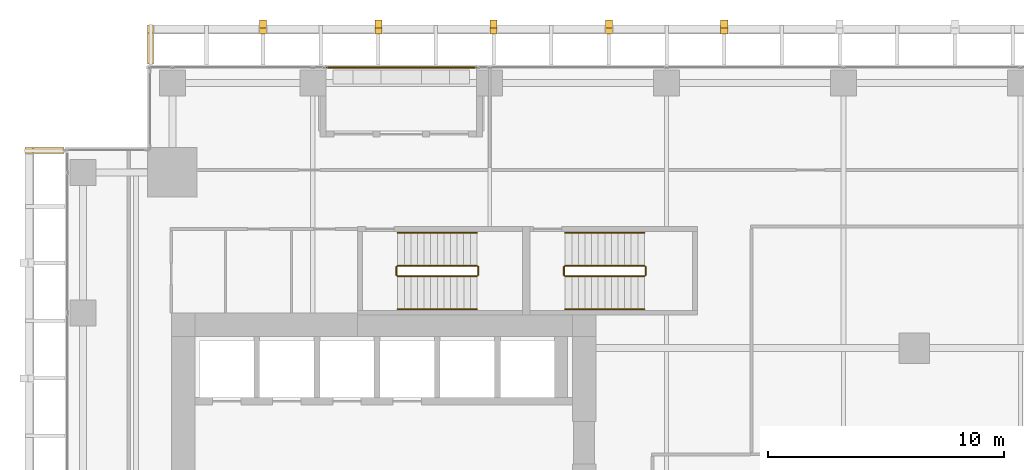
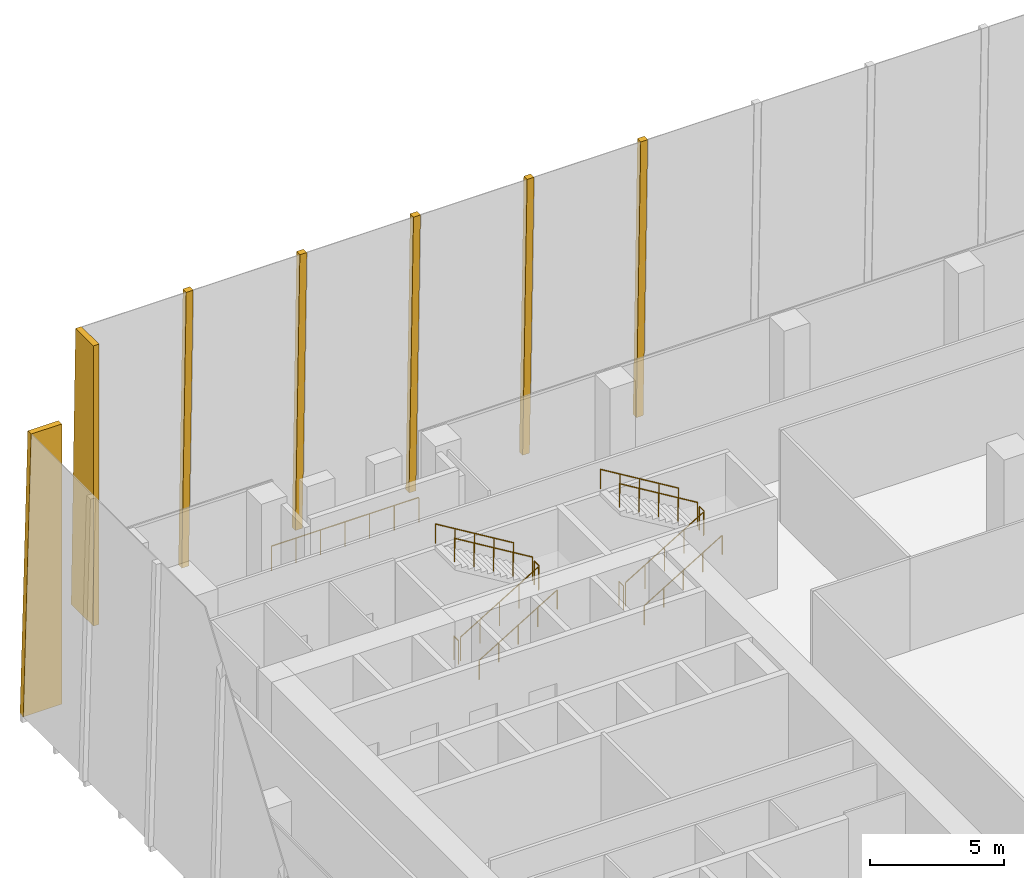
# One storey, part 34 of 36: 13 railings, 7 coverings.
"""IFC4 building model written with IfcOpenShell, lengths in metres."""

from ifc_helpers import new_model, si_unit, direction, frame, origin, origin_2d, place, context, subcontext, project, spatial, polyline, circle, outline, extrude, source, transform, mapped, material, layer, layer_set, type_object, element, save


model = new_model("IFC4")

# Units and contexts
model_context = context("Model", 3, precision=1e-05, world=origin(), true_north=direction((0.0, 1.0)))
body_context = subcontext(model_context, "Body", "Model", "MODEL_VIEW")
ifc_project = project(units=[si_unit("LENGTHUNIT", "METRE"), si_unit("AREAUNIT", "SQUARE_METRE"), si_unit("VOLUMEUNIT", "CUBIC_METRE"), si_unit("PLANEANGLEUNIT", "RADIAN"), si_unit("MASSUNIT", "GRAM", prefix="KILO")], contexts=[model_context])

# Site, building, storey
site_placement = place(None, origin())
site = spatial("IfcSite", under=ifc_project, at=site_placement, CompositionType="ELEMENT")
building_placement = place(site_placement, origin())
building = spatial("IfcBuilding", under=site, at=building_placement, Name="Khomas Fold Tower", CompositionType="ELEMENT")
storey_placement = place(building_placement, frame((0.0, 0.0, 141.10009765625)))
storey = spatial("IfcBuildingStorey", under=building, at=storey_placement, Name="L30", CompositionType="ELEMENT", Elevation=141.10009765625)

# Coverings
ifc_material_1 = material(Name="Natural stone cladding", Category="masonry")
ifc_layer = layer(ifc_material_1, 0.25)
ifc_layer_set = layer_set([ifc_layer], Name="Natural stone cladding")
covering_type = type_object("IfcCoveringType", Name="SK-Karibib marble stone mullion", PredefinedType="CLADDING", material=ifc_layer_set)
for number, where, z_axis, x_axis, name in (
    (1, (9.73876953125, 54.412841796875, 0.00634765625), (0.0, 0.999657592188, 0.026166741891), (1.0, 0.0, 0.0), "OUTER SKIN mullion L30 N2"),
    (2, (14.627685546875, 54.412841796875, 0.00634765625), (0.0, 0.999657592188, 0.026166741891), (1.0, 0.0, 0.0), "OUTER SKIN mullion L30 N4"),
    (3, (19.5166015625, 54.412841796875, 0.00634765625), (0.0, 0.999657592188, 0.026166741891), (1.0, 0.0, 0.0), "OUTER SKIN mullion L30 N6"),
    (4, (24.405517578125, 54.412841796875, 0.00634765625), (0.0, 0.999657592188, 0.026166741891), (1.0, 0.0, 0.0), "OUTER SKIN mullion L30 N8"),
    (5, (29.29443359375, 54.412841796875, 0.00634765625), (0.0, 0.999657592188, 0.026166741891), (1.0, 0.0, 0.0), "OUTER SKIN mullion L30 N10"),
):
    element("IfcCovering", number, at=place(storey_placement, frame(where, z_axis=z_axis, x_axis=x_axis)), inside=storey, type_object=covering_type, Name=name, PredefinedType="CLADDING", context=body_context, shape_type="SweptSolid", body=[
        extrude(outline(polyline([(0.0, 0.0), (0.300048828125, 0.0), (0.300048828125, -12.754367194966619), (0.0, -12.754367194966619), (0.0, 0.0)])), origin(), (0.0, 0.0, -1.0), 0.25),
    ])
covering_1_placement = place(storey_placement, frame((5.0, 52.550048828125, 12.75), z_axis=(-1.0, 0.0, 0.0), x_axis=(0.0, 1.0, 0.0)))
element("IfcCovering", 6, at=covering_1_placement, inside=storey, type_object=covering_type, Name="OUTER SKIN return L30 N1", PredefinedType="CLADDING", context=body_context, shape_type="SweptSolid", body=[
    extrude(outline(polyline([(0.0, 0.0), (1.319091796875, 0.0), (1.653076171875, 12.75), (0.0, 12.75), (0.0, 0.0)])), origin(), (0.0, 0.0, -1.0), 0.25),
])
covering_2_placement = place(storey_placement, frame((1.449951171875, 49.0, 0.0), z_axis=(0.0, 1.0, 0.0), x_axis=(-1.0, 0.0, 0.0)))
element("IfcCovering", 7, at=covering_2_placement, inside=storey, type_object=covering_type, Name="OUTER SKIN return L30 W2", PredefinedType="CLADDING", context=body_context, shape_type="SweptSolid", body=[
    extrude(outline(polyline([(0.0, 0.0), (1.653076171875, 0.0), (1.319091796875, 12.75), (0.0, 12.75), (0.0, 0.0)])), origin(), (0.0, 0.0, -1.0), 0.25),
])

# Railings
ifc_material_2 = material(Name="Powder-coated steel", Category="steel")
railing_type_1 = type_object("IfcRailingType", Name="Balcony guard", PredefinedType="GUARDRAIL", material=ifc_material_2)
shared_shape_1 = source(origin(), body_context, "Body", "SweptSolid", [
    extrude(circle(Radius=0.02490234375, at=origin_2d()), frame((0.0, 0.0, 1.125), z_axis=(1.0, 0.0, 0.0), x_axis=(0.0, 1.0, 0.0)), (0.0, 0.0, 1.0), 6.33984375),
    extrude(circle(Radius=0.02001953125, at=origin_2d()), origin(), (0.0, 0.0, 1.0), 1.099853515625),
    extrude(circle(Radius=0.02001953125, at=origin_2d()), frame((1.056640625, 0.0, 0.0)), (0.0, 0.0, 1.0), 1.099853515625),
    extrude(circle(Radius=0.02001953125, at=origin_2d()), frame((2.11328125, 0.0, 0.0)), (0.0, 0.0, 1.0), 1.099853515625),
    extrude(circle(Radius=0.02001953125, at=origin_2d()), frame((3.169921875, 0.0, 0.0)), (0.0, 0.0, 1.0), 1.099853515625),
    extrude(circle(Radius=0.02001953125, at=origin_2d()), frame((4.2265625, 0.0, 0.0)), (0.0, 0.0, 1.0), 1.099853515625),
    extrude(circle(Radius=0.02001953125, at=origin_2d()), frame((5.283203125, 0.0, 0.0)), (0.0, 0.0, 1.0), 1.099853515625),
    extrude(circle(Radius=0.02001953125, at=origin_2d()), frame((6.33984375, 0.0, 0.0)), (0.0, 0.0, 1.0), 1.099853515625),
])
railing_1_placement = place(storey_placement, frame((12.580078125, 52.39990234375, -0.045166015625)))
element("IfcRailing", 8, at=railing_1_placement, inside=storey, type_object=railing_type_1, Name="Balcony guard BAL-L30-N1", PredefinedType="GUARDRAIL", context=body_context, shape_type="MappedRepresentation", body=[
    mapped(shared_shape_1, transform((0.0, 0.0, 0.0))),
])
ifc_material_3 = material(Name="Steel balustrade", Category="steel")
railing_type_2 = type_object("IfcRailingType", Name="Stair guard", PredefinedType="GUARDRAIL", material=ifc_material_3)
shared_shape_2 = source(origin(), body_context, "Body", "SweptSolid", [
    extrude(circle(Radius=0.02392578125, at=origin_2d()), frame((0.0, 0.0, 1.076171875), z_axis=(0.0, 1.0, 0.0), x_axis=(-1.0, 0.0, 0.0)), (0.0, 0.0, 1.0), 0.349853515625),
    extrude(circle(Radius=0.02099609375, at=origin_2d()), origin(), (0.0, 0.0, 1.0), 1.052001953125),
    extrude(circle(Radius=0.02099609375, at=origin_2d()), frame((0.0, 0.349853515625, 0.0)), (0.0, 0.0, 1.0), 1.052001953125),
])
for number, where, name in (
    (9, (19.010009765625, 43.60009765625, 2.199951171875), "L30 ST1 stair guard 2"),
    (10, (15.550048828125, 43.60009765625, 0.0), "L30 ST1 stair guard 4"),
    (11, (26.110107421875, 43.60009765625, 2.199951171875), "L30 ST3 stair guard 2"),
    (12, (22.64990234375, 43.60009765625, 0.0), "L30 ST3 stair guard 4"),
):
    element("IfcRailing", number, at=place(storey_placement, frame(where)), inside=storey, type_object=railing_type_2, Name=name, PredefinedType="GUARDRAIL", context=body_context, shape_type="MappedRepresentation", body=[
        mapped(shared_shape_2, transform((0.0, 0.0, 0.0))),
    ])
shared_shape_3 = source(origin(), body_context, "Body", "SweptSolid", [
    extrude(circle(Radius=0.02392578125, at=origin_2d()), frame((0.0, 0.0, 1.076171875), z_axis=(0.855820338506, 0.0, 0.51727318527), x_axis=(0.0, 1.0, 0.0)), (0.0, 0.0, 1.0), 3.92578125),
    extrude(circle(Radius=0.02099609375, at=origin_2d()), origin(), (0.0, 0.0, 1.0), 1.052001953125),
    extrude(circle(Radius=0.02099609375, at=origin_2d()), frame((0.83984375, 0.0, 0.5078125)), (0.0, 0.0, 1.0), 1.052001953125),
    extrude(circle(Radius=0.02099609375, at=origin_2d()), frame((1.679931640625, 0.0, 1.015380859375)), (0.0, 0.0, 1.0), 1.052001953125),
    extrude(circle(Radius=0.02099609375, at=origin_2d()), frame((2.52001953125, 0.0, 1.52294921875)), (0.0, 0.0, 1.0), 1.052001953125),
    extrude(circle(Radius=0.02099609375, at=origin_2d()), frame((3.35986328125, 0.0, 2.03076171875)), (0.0, 0.0, 1.0), 1.052001953125),
])
railing_2_placement = place(storey_placement, frame((15.60009765625, 43.550048828125, 0.169189453125)))
element("IfcRailing", 13, at=railing_2_placement, inside=storey, type_object=railing_type_2, Name="L30 ST1 stair guard 1", PredefinedType="GUARDRAIL", context=body_context, shape_type="MappedRepresentation", body=[
    mapped(shared_shape_3, transform((0.0, 0.0, 0.0))),
])
shared_shape_4 = source(origin(), body_context, "Body", "SweptSolid", [
    extrude(circle(Radius=0.02392578125, at=origin_2d()), frame((0.0, 0.0, 1.076171875), z_axis=(-0.855820338506, 0.0, 0.51727318527), x_axis=(0.0, -1.0, 0.0)), (0.0, 0.0, 1.0), 3.92578125),
    extrude(circle(Radius=0.02099609375, at=origin_2d()), origin(), (0.0, 0.0, 1.0), 1.052001953125),
    extrude(circle(Radius=0.02099609375, at=origin_2d()), frame((-0.83984375, 0.0, 0.5078125)), (0.0, 0.0, 1.0), 1.052001953125),
    extrude(circle(Radius=0.02099609375, at=origin_2d()), frame((-1.679931640625, 0.0, 1.015380859375)), (0.0, 0.0, 1.0), 1.052001953125),
    extrude(circle(Radius=0.02099609375, at=origin_2d()), frame((-2.52001953125, 0.0, 1.52294921875)), (0.0, 0.0, 1.0), 1.052001953125),
    extrude(circle(Radius=0.02099609375, at=origin_2d()), frame((-3.35986328125, 0.0, 2.03076171875)), (0.0, 0.0, 1.0), 1.052001953125),
])
railing_3_placement = place(storey_placement, frame((18.9599609375, 44.0, 2.369140625)))
element("IfcRailing", 14, at=railing_3_placement, inside=storey, type_object=railing_type_2, Name="L30 ST1 stair guard 3", PredefinedType="GUARDRAIL", context=body_context, shape_type="MappedRepresentation", body=[
    mapped(shared_shape_4, transform((0.0, 0.0, 0.0))),
])
ifc_material_4 = material(Name="Steel handrail", Category="steel")
railing_type_3 = type_object("IfcRailingType", Name="Stair handrail", PredefinedType="HANDRAIL", material=ifc_material_4)
shared_shape_5 = source(origin(), body_context, "Body", "SweptSolid", [
    extrude(circle(Radius=0.02392578125, at=origin_2d()), frame((0.0, 0.0, 0.8759765625), z_axis=(0.855820338506, 0.0, 0.51727318527), x_axis=(0.0, 1.0, 0.0)), (0.0, 0.0, 1.0), 3.92578125),
    extrude(circle(Radius=0.02099609375, at=origin_2d()), origin(), (0.0, 0.0, 1.0), 0.851806640625),
    extrude(circle(Radius=0.02099609375, at=origin_2d()), frame((0.83984375, 0.0, 0.5078125)), (0.0, 0.0, 1.0), 0.851806640625),
    extrude(circle(Radius=0.02099609375, at=origin_2d()), frame((1.679931640625, 0.0, 1.015380859375)), (0.0, 0.0, 1.0), 0.851806640625),
    extrude(circle(Radius=0.02099609375, at=origin_2d()), frame((2.52001953125, 0.0, 1.52294921875)), (0.0, 0.0, 1.0), 0.851806640625),
    extrude(circle(Radius=0.02099609375, at=origin_2d()), frame((3.35986328125, 0.0, 2.03076171875)), (0.0, 0.0, 1.0), 0.851806640625),
])
railing_4_placement = place(storey_placement, frame((15.60009765625, 42.14990234375, 0.169189453125)))
element("IfcRailing", 15, at=railing_4_placement, inside=storey, type_object=railing_type_3, Name="L30 ST1 stair handrail 1", PredefinedType="HANDRAIL", context=body_context, shape_type="MappedRepresentation", body=[
    mapped(shared_shape_5, transform((0.0, 0.0, 0.0))),
])
shared_shape_6 = source(origin(), body_context, "Body", "SweptSolid", [
    extrude(circle(Radius=0.02392578125, at=origin_2d()), frame((0.0, 0.0, 0.8759765625), z_axis=(-0.855820338506, 0.0, 0.51727318527), x_axis=(0.0, -1.0, 0.0)), (0.0, 0.0, 1.0), 3.92578125),
    extrude(circle(Radius=0.02099609375, at=origin_2d()), origin(), (0.0, 0.0, 1.0), 0.851806640625),
    extrude(circle(Radius=0.02099609375, at=origin_2d()), frame((-0.83984375, 0.0, 0.5078125)), (0.0, 0.0, 1.0), 0.851806640625),
    extrude(circle(Radius=0.02099609375, at=origin_2d()), frame((-1.679931640625, 0.0, 1.015380859375)), (0.0, 0.0, 1.0), 0.851806640625),
    extrude(circle(Radius=0.02099609375, at=origin_2d()), frame((-2.52001953125, 0.0, 1.52294921875)), (0.0, 0.0, 1.0), 0.851806640625),
    extrude(circle(Radius=0.02099609375, at=origin_2d()), frame((-3.35986328125, 0.0, 2.03076171875)), (0.0, 0.0, 1.0), 0.851806640625),
])
railing_5_placement = place(storey_placement, frame((18.9599609375, 45.39990234375, 2.369140625)))
element("IfcRailing", 16, at=railing_5_placement, inside=storey, type_object=railing_type_3, Name="L30 ST1 stair handrail 2", PredefinedType="HANDRAIL", context=body_context, shape_type="MappedRepresentation", body=[
    mapped(shared_shape_6, transform((0.0, 0.0, 0.0))),
])
shared_shape_7 = source(origin(), body_context, "Body", "SweptSolid", [
    extrude(circle(Radius=0.02392578125, at=origin_2d()), frame((0.0, 0.0, 1.076171875), z_axis=(0.855836976705, 0.0, 0.517245656632), x_axis=(0.0, 1.0, 0.0)), (0.0, 0.0, 1.0), 3.926025390625),
    extrude(circle(Radius=0.02099609375, at=origin_2d()), origin(), (0.0, 0.0, 1.0), 1.052001953125),
    extrude(circle(Radius=0.02099609375, at=origin_2d()), frame((0.840087890625, 0.0, 0.5078125)), (0.0, 0.0, 1.0), 1.052001953125),
    extrude(circle(Radius=0.02099609375, at=origin_2d()), frame((1.68017578125, 0.0, 1.015380859375)), (0.0, 0.0, 1.0), 1.052001953125),
    extrude(circle(Radius=0.02099609375, at=origin_2d()), frame((2.52001953125, 0.0, 1.52294921875)), (0.0, 0.0, 1.0), 1.052001953125),
    extrude(circle(Radius=0.02099609375, at=origin_2d()), frame((3.360107421875, 0.0, 2.03076171875)), (0.0, 0.0, 1.0), 1.052001953125),
])
railing_6_placement = place(storey_placement, frame((22.699951171875, 43.550048828125, 0.169189453125)))
element("IfcRailing", 17, at=railing_6_placement, inside=storey, type_object=railing_type_2, Name="L30 ST3 stair guard 1", PredefinedType="GUARDRAIL", context=body_context, shape_type="MappedRepresentation", body=[
    mapped(shared_shape_7, transform((0.0, 0.0, 0.0))),
])
shared_shape_8 = source(origin(), body_context, "Body", "SweptSolid", [
    extrude(circle(Radius=0.02392578125, at=origin_2d()), frame((0.0, 0.0, 1.076171875), z_axis=(-0.855836976705, 0.0, 0.517245656632), x_axis=(0.0, -1.0, 0.0)), (0.0, 0.0, 1.0), 3.926025390625),
    extrude(circle(Radius=0.02099609375, at=origin_2d()), origin(), (0.0, 0.0, 1.0), 1.052001953125),
    extrude(circle(Radius=0.02099609375, at=origin_2d()), frame((-0.840087890625, 0.0, 0.5078125)), (0.0, 0.0, 1.0), 1.052001953125),
    extrude(circle(Radius=0.02099609375, at=origin_2d()), frame((-1.68017578125, 0.0, 1.015380859375)), (0.0, 0.0, 1.0), 1.052001953125),
    extrude(circle(Radius=0.02099609375, at=origin_2d()), frame((-2.52001953125, 0.0, 1.52294921875)), (0.0, 0.0, 1.0), 1.052001953125),
    extrude(circle(Radius=0.02099609375, at=origin_2d()), frame((-3.360107421875, 0.0, 2.03076171875)), (0.0, 0.0, 1.0), 1.052001953125),
])
railing_7_placement = place(storey_placement, frame((26.06005859375, 44.0, 2.369140625)))
element("IfcRailing", 18, at=railing_7_placement, inside=storey, type_object=railing_type_2, Name="L30 ST3 stair guard 3", PredefinedType="GUARDRAIL", context=body_context, shape_type="MappedRepresentation", body=[
    mapped(shared_shape_8, transform((0.0, 0.0, 0.0))),
])
shared_shape_9 = source(origin(), body_context, "Body", "SweptSolid", [
    extrude(circle(Radius=0.02392578125, at=origin_2d()), frame((0.0, 0.0, 0.8759765625), z_axis=(0.855836976705, 0.0, 0.517245656632), x_axis=(0.0, 1.0, 0.0)), (0.0, 0.0, 1.0), 3.926025390625),
    extrude(circle(Radius=0.02099609375, at=origin_2d()), origin(), (0.0, 0.0, 1.0), 0.851806640625),
    extrude(circle(Radius=0.02099609375, at=origin_2d()), frame((0.840087890625, 0.0, 0.5078125)), (0.0, 0.0, 1.0), 0.851806640625),
    extrude(circle(Radius=0.02099609375, at=origin_2d()), frame((1.68017578125, 0.0, 1.015380859375)), (0.0, 0.0, 1.0), 0.851806640625),
    extrude(circle(Radius=0.02099609375, at=origin_2d()), frame((2.52001953125, 0.0, 1.52294921875)), (0.0, 0.0, 1.0), 0.851806640625),
    extrude(circle(Radius=0.02099609375, at=origin_2d()), frame((3.360107421875, 0.0, 2.03076171875)), (0.0, 0.0, 1.0), 0.851806640625),
])
railing_8_placement = place(storey_placement, frame((22.699951171875, 42.14990234375, 0.169189453125)))
element("IfcRailing", 19, at=railing_8_placement, inside=storey, type_object=railing_type_3, Name="L30 ST3 stair handrail 1", PredefinedType="HANDRAIL", context=body_context, shape_type="MappedRepresentation", body=[
    mapped(shared_shape_9, transform((0.0, 0.0, 0.0))),
])
shared_shape_10 = source(origin(), body_context, "Body", "SweptSolid", [
    extrude(circle(Radius=0.02392578125, at=origin_2d()), frame((0.0, 0.0, 0.8759765625), z_axis=(-0.855836976705, 0.0, 0.517245656632), x_axis=(0.0, -1.0, 0.0)), (0.0, 0.0, 1.0), 3.926025390625),
    extrude(circle(Radius=0.02099609375, at=origin_2d()), origin(), (0.0, 0.0, 1.0), 0.851806640625),
    extrude(circle(Radius=0.02099609375, at=origin_2d()), frame((-0.840087890625, 0.0, 0.5078125)), (0.0, 0.0, 1.0), 0.851806640625),
    extrude(circle(Radius=0.02099609375, at=origin_2d()), frame((-1.68017578125, 0.0, 1.015380859375)), (0.0, 0.0, 1.0), 0.851806640625),
    extrude(circle(Radius=0.02099609375, at=origin_2d()), frame((-2.52001953125, 0.0, 1.52294921875)), (0.0, 0.0, 1.0), 0.851806640625),
    extrude(circle(Radius=0.02099609375, at=origin_2d()), frame((-3.360107421875, 0.0, 2.03076171875)), (0.0, 0.0, 1.0), 0.851806640625),
])
railing_9_placement = place(storey_placement, frame((26.06005859375, 45.39990234375, 2.369140625)))
element("IfcRailing", 20, at=railing_9_placement, inside=storey, type_object=railing_type_3, Name="L30 ST3 stair handrail 2", PredefinedType="HANDRAIL", context=body_context, shape_type="MappedRepresentation", body=[
    mapped(shared_shape_10, transform((0.0, 0.0, 0.0))),
])

save(model, "model.ifc")
